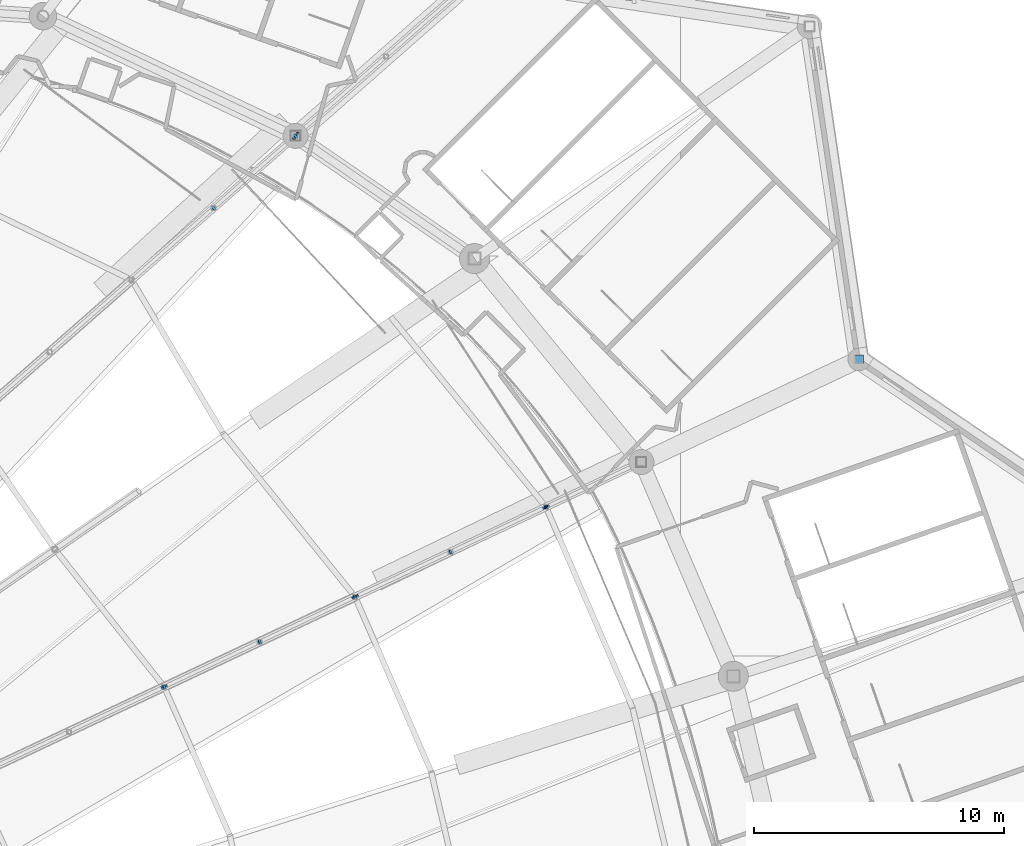
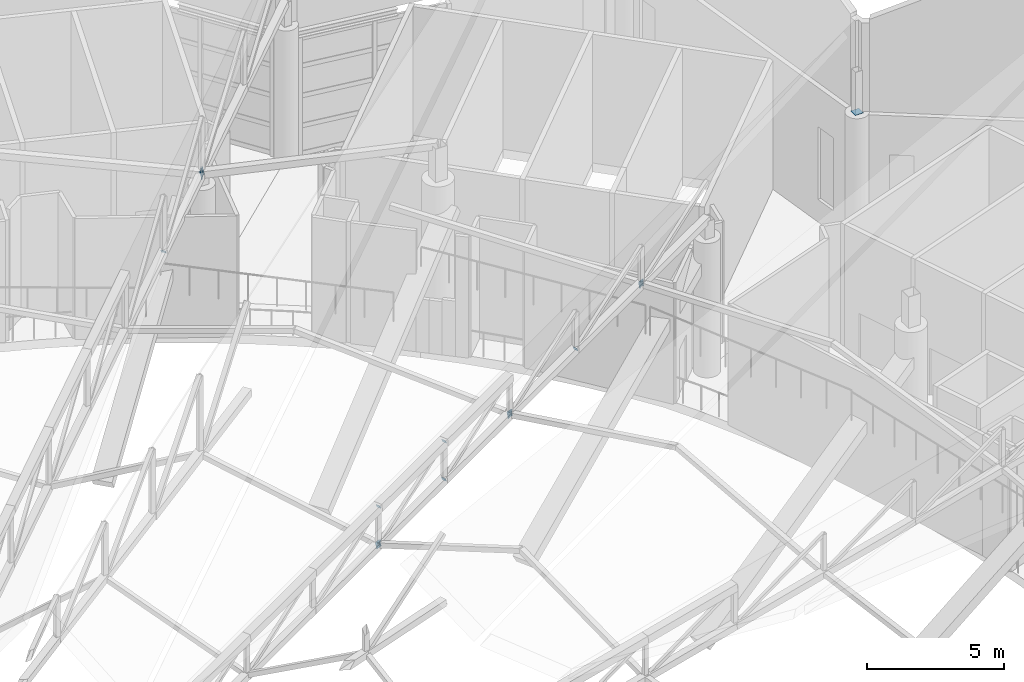
# One storey, part 334 of 344: 18 discrete accessories.
"""IFC4 building model written with IfcOpenShell, lengths in metres."""

from ifc_helpers import new_model, si_unit, direction, frame, origin, origin_2d, place, context, subcontext, project, spatial, rectangle, extrude, material, material_profile, profile_set, type_object, element, save


model = new_model("IFC4")

# Units and contexts
model_context = context("Model", 3, precision=1e-05, world=origin(), true_north=direction((0.0, 1.0)))
body_context = subcontext(model_context, "Body", "Model", "MODEL_VIEW")
ifc_project = project(units=[si_unit("LENGTHUNIT", "METRE"), si_unit("AREAUNIT", "SQUARE_METRE"), si_unit("VOLUMEUNIT", "CUBIC_METRE"), si_unit("PLANEANGLEUNIT", "RADIAN"), si_unit("MASSUNIT", "GRAM", prefix="KILO")], contexts=[model_context])

# Site, building, storey
site_placement = place(None, origin())
site = spatial("IfcSite", under=ifc_project, at=site_placement, CompositionType="ELEMENT")
building_placement = place(site_placement, origin())
building = spatial("IfcBuilding", under=site, at=building_placement, Name="Meseta Stadium", CompositionType="ELEMENT")
storey_placement = place(building_placement, frame((0.0, 0.0, 24.0)))
storey = spatial("IfcBuildingStorey", under=building, at=storey_placement, Name="L04", CompositionType="ELEMENT", Elevation=24.0)

# Discrete accessories
ifc_material_1 = material(Name="Steel S355", Category="steel")
ifc_material_profile_1 = material_profile(ifc_material_1, rectangle(XDim=0.179931640625, YDim=0.179931640625, at=origin_2d()), Name="PL 180x180")
ifc_profile_set_1 = profile_set([ifc_material_profile_1], Name="Steel S355")
discrete_accessory_type_1 = type_object("IfcDiscreteAccessoryType", Name="End plate 180x180x20", PredefinedType="ANCHORPLATE", material=ifc_profile_set_1)
for number, where, z_axis, x_axis, name in (
    (1, (59.369140625, 62.769775390625, 6.030517578125), (0.802672654344, 0.377012913404, 0.462144861592), (-0.425136471467, 0.905129261834, 0.0), "End plate of ROOF TRUSS RT-11 diagonal"),
    (2, (59.35302734375, 62.76220703125, 4.341796875), (0.802672654344, 0.377012913404, 0.462144861592), (-0.425136471467, 0.905129261834, 0.0), "End plate of ROOF TRUSS RT-11 diagonal"),
    (3, (63.184326171875, 64.567138671875, 6.517578125), (0.807162077407, 0.379121581812, 0.452499952486), (-0.425136471467, 0.905129261834, 0.0), "End plate of ROOF TRUSS RT-11 diagonal"),
    (4, (63.168212890625, 64.5595703125, 4.82861328125), (0.802672654344, 0.377012913404, 0.462144861592), (-0.425136471467, 0.905129261834, 0.0), "End plate of ROOF TRUSS RT-11 diagonal"),
    (5, (66.983642578125, 66.356689453125, 5.315673828125), (0.807162077407, 0.379121581812, 0.452499952486), (-0.425136471467, 0.905129261834, 0.0), "End plate of ROOF TRUSS RT-11 diagonal"),
    (6, (70.798828125, 68.154052734375, 5.802490234375), (0.807162077407, 0.379121581812, 0.452499952486), (-0.425136471467, 0.905129261834, 0.0), "End plate of ROOF TRUSS RT-11 diagonal"),
    (7, (74.614013671875, 69.951171875, 6.289306640625), (0.802672654344, 0.377012913404, 0.462144861592), (-0.425136471467, 0.905129261834, 0.0), "End plate of ROOF TRUSS RT-11 diagonal"),
    (8, (61.3330078125, 81.90185546875, 5.119140625), (0.609031921418, 0.535948090848, 0.584670644561), (-0.660627894892, 0.750713516923, 0.0), "End plate of ROOF TRUSS RT-13 diagonal"),
    (9, (64.609619140625, 84.781494140625, 5.72314453125), (0.625355108861, 0.551783919583, 0.551783919583), (-0.661621637087, 0.749837855365, 0.0), "End plate of ROOF TRUSS RT-13 diagonal"),
):
    element("IfcDiscreteAccessory", number, at=place(storey_placement, frame(where, z_axis=z_axis, x_axis=x_axis)), inside=storey, type_object=discrete_accessory_type_1, Name=name, PredefinedType="ANCHORPLATE", context=body_context, shape_type="SweptSolid", body=[
        extrude(rectangle(XDim=0.179931640625, YDim=0.179931640625, at=origin_2d()), origin(), (0.0, 0.0, 1.0), 0.02001953125),
    ])
ifc_material_2 = material(Name="Steel S355", Category="steel")
ifc_material_profile_2 = material_profile(ifc_material_2, rectangle(XDim=0.260009765625, YDim=0.260009765625, at=origin_2d()), Name="PL 260x260")
ifc_profile_set_2 = profile_set([ifc_material_profile_2], Name="Steel S355")
discrete_accessory_type_2 = type_object("IfcDiscreteAccessoryType", Name="End plate 260x260x20", PredefinedType="ANCHORPLATE", material=ifc_profile_set_2)
for number, where, z_axis, x_axis, name in (
    (10, (59.369140625, 62.769775390625, 4.35107421875), (-0.378668763996, 0.855058499345, -0.354238521157), (-0.914349389647, -0.404926158272, 0.0), "End plate of ROOF TRUSS STRUT RT-10/11"),
    (11, (66.999755859375, 66.3642578125, 5.32470703125), (-0.391614974756, 0.893371661161, -0.2202834233), (-0.915869154004, -0.401476889427, 0.0), "End plate of ROOF TRUSS STRUT RT-10/11"),
    (12, (74.630126953125, 69.958740234375, 6.298583984375), (-0.390069906487, 0.914226343328, -0.109707161199), (-0.919778168081, -0.392438685048, 0.0), "End plate of ROOF TRUSS STRUT RT-10/11"),
    (13, (59.380859375, 62.7548828125, 4.344970703125), (-0.588613765906, 0.748029994172, 0.306569669742), (-0.785871084209, -0.618390361345, 0.0), "End plate of ROOF TRUSS STRUT RT-11/12"),
):
    element("IfcDiscreteAccessory", number, at=place(storey_placement, frame(where, z_axis=z_axis, x_axis=x_axis)), inside=storey, type_object=discrete_accessory_type_2, Name=name, PredefinedType="ANCHORPLATE", context=body_context, shape_type="SweptSolid", body=[
        extrude(rectangle(XDim=0.260009765625, YDim=0.260009765625, at=origin_2d()), origin(), (0.0, 0.0, 1.0), 0.02001953125),
    ])
discrete_accessory_1_placement = place(storey_placement, frame((67.011962890625, 66.34912109375, 5.32080078125), z_axis=(-0.615457454897, 0.763167244072, 0.196946385567), x_axis=(-0.778413039475, -0.62775245119, 0.0)))
element("IfcDiscreteAccessory", 14, at=discrete_accessory_1_placement, inside=storey, type_object=discrete_accessory_type_2, Name="End plate of ROOF TRUSS STRUT RT-11/12", PredefinedType="ANCHORPLATE", context=body_context, shape_type="SweptSolid", body=[
    extrude(rectangle(XDim=0.260009765625, YDim=0.260009765625, at=origin_2d()), origin(), (0.0, 0.0, 1.0), 0.019775390625),
])
discrete_accessory_2_placement = place(storey_placement, frame((74.642822265625, 69.943359375, 6.29638671875), z_axis=(-0.632736394544, 0.766584478005, 0.109512068286), x_axis=(-0.771223025002, -0.63656503651, 0.0)))
element("IfcDiscreteAccessory", 15, at=discrete_accessory_2_placement, inside=storey, type_object=discrete_accessory_type_2, Name="End plate of ROOF TRUSS STRUT RT-11/12", PredefinedType="ANCHORPLATE", context=body_context, shape_type="SweptSolid", body=[
    extrude(rectangle(XDim=0.260009765625, YDim=0.260009765625, at=origin_2d()), origin(), (0.0, 0.0, 1.0), 0.02001953125),
])
ifc_material_3 = material(Name="Steel S355", Category="steel")
ifc_material_profile_3 = material_profile(ifc_material_3, rectangle(XDim=0.340087890625, YDim=0.340087890625, at=origin_2d()), Name="PL 340x340")
ifc_profile_set_3 = profile_set([ifc_material_profile_3], Name="Steel S355")
discrete_accessory_type_3 = type_object("IfcDiscreteAccessoryType", Name="End plate 340x340x20", PredefinedType="ANCHORPLATE", material=ifc_profile_set_3)
for number, where, z_axis, x_axis, name in (
    (16, (87.15087890625, 75.856689453125, 5.97998046875), (0.0, 0.0, 1.0), (1.0, 0.0, 0.0), "End plate of ROOF RIM POST RT-11"),
    (17, (64.6220703125, 84.79248046875, 5.734130859375), (-0.804638751005, 0.560808826458, -0.195063939638), (-0.571792661688, -0.82039816677, 0.0), "End plate of ROOF PIVOT STRUT RT-12/13"),
    (18, (64.639892578125, 84.7841796875, 5.730712890625), (-0.89310418461, 0.415966332558, 0.171280254583), (-0.42220553922, -0.906500128324, 0.0), "End plate of ROOF PIVOT STRUT RT-13/14"),
):
    element("IfcDiscreteAccessory", number, at=place(storey_placement, frame(where, z_axis=z_axis, x_axis=x_axis)), inside=storey, type_object=discrete_accessory_type_3, Name=name, PredefinedType="ANCHORPLATE", context=body_context, shape_type="SweptSolid", body=[
        extrude(rectangle(XDim=0.340087890625, YDim=0.340087890625, at=origin_2d()), origin(), (0.0, 0.0, 1.0), 0.02001953125),
    ])

save(model, "model.ifc")
